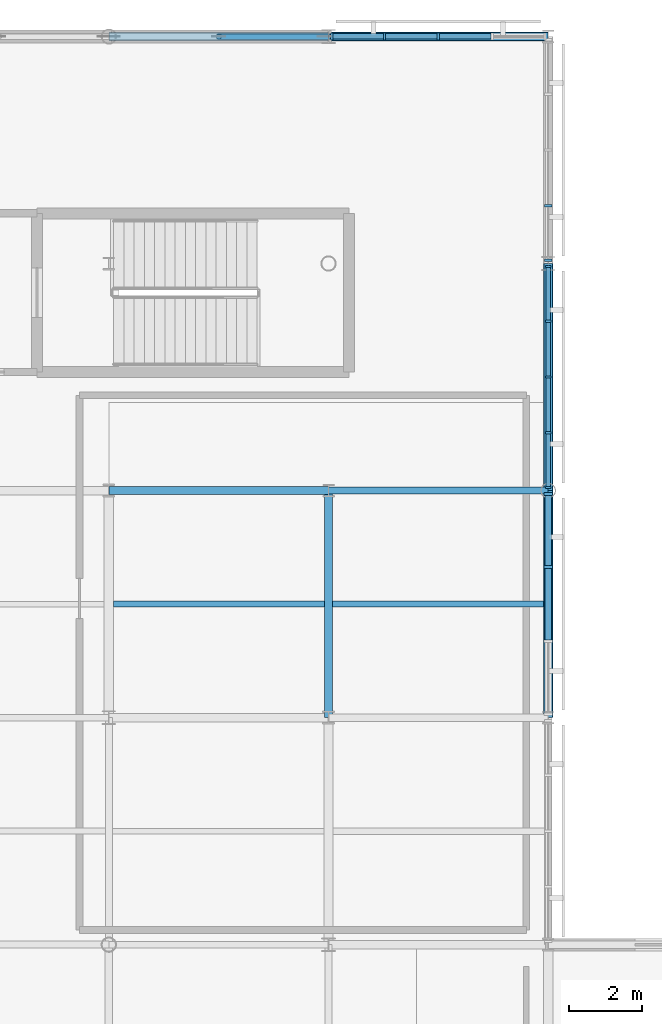
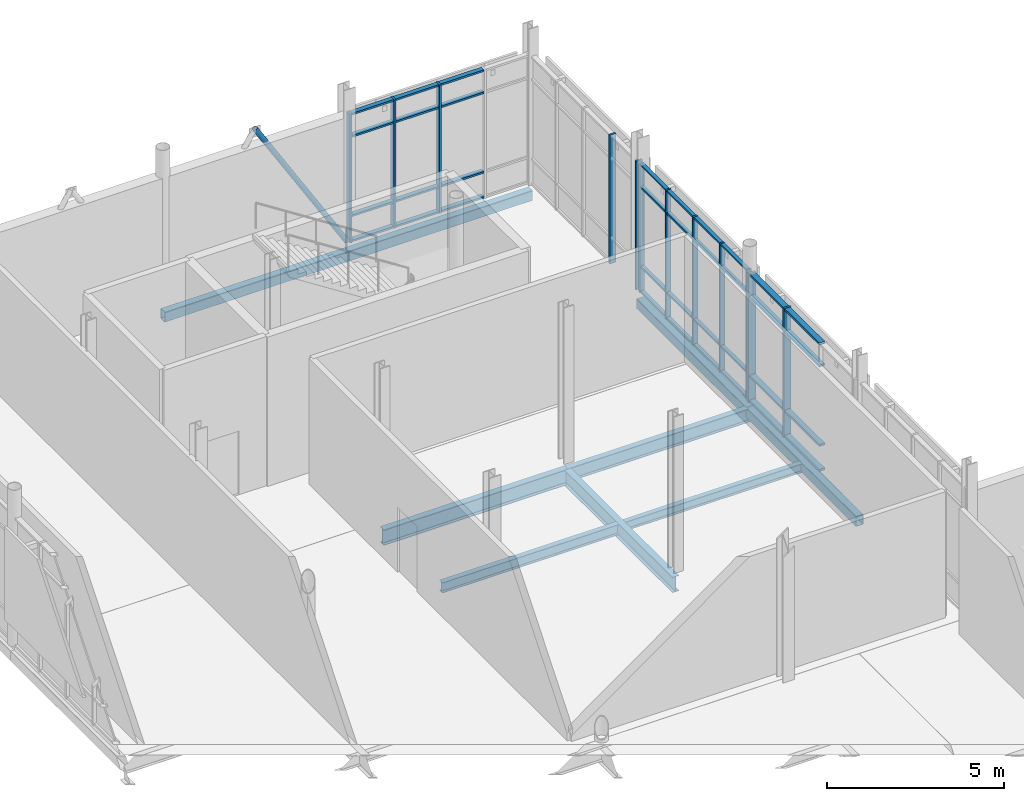
# One storey, part 53 of 105: 49 members, 9 beams, 4 elements without a shape of their own.
"""IFC4 building model written with IfcOpenShell, lengths in metres."""

from ifc_helpers import new_model, si_unit, direction, frame, origin, origin_2d, place, context, subcontext, project, spatial, rectangle, hollow_rectangle, hollow_circle, i_section, extrude, material, layer, layer_set, material_profile, profile_set, type_object, element, aggregate, save


model = new_model("IFC4")

# Units and contexts
model_context = context("Model", 3, precision=1e-05, world=origin(), true_north=direction((0.0, 1.0)))
body_context = subcontext(model_context, "Body", "Model", "MODEL_VIEW")
ifc_project = project(units=[si_unit("LENGTHUNIT", "METRE"), si_unit("AREAUNIT", "SQUARE_METRE"), si_unit("VOLUMEUNIT", "CUBIC_METRE"), si_unit("PLANEANGLEUNIT", "RADIAN"), si_unit("MASSUNIT", "GRAM", prefix="KILO")], contexts=[model_context])

# Site, building, storey
site_placement = place(None, origin())
site = spatial("IfcSite", under=ifc_project, at=site_placement, CompositionType="ELEMENT")
building_placement = place(site_placement, origin())
building = spatial("IfcBuilding", under=site, at=building_placement, Name="Mirzam Square Science Centre", CompositionType="ELEMENT")
storey_placement = place(building_placement, frame((0.0, 0.0, 5.39990234375)))
storey = spatial("IfcBuildingStorey", under=building, at=storey_placement, Name="L01", CompositionType="ELEMENT", Elevation=5.39990234375)

# Beams
ifc_material_1 = material(Name="Steel S355", Category="steel")
ifc_material_profile_1 = material_profile(ifc_material_1, i_section(OverallWidth=0.19140625, OverallDepth=0.4599609375, WebThickness=0.010009765625, FlangeThickness=0.01611328125, FilletRadius=0.01025390625, at=origin_2d()), Name="457x191x82UB")
ifc_profile_set_1 = profile_set([ifc_material_profile_1], Name="Steel S355")
beam_type_1 = type_object("IfcBeamType", Name="BM-UB457", PredefinedType="BEAM", material=ifc_profile_set_1)
beam_1_placement = place(storey_placement, frame((132.0, 99.199951171875, -0.47998046875), z_axis=(1.0, 0.0, 0.0), x_axis=(0.0, 1.0, 0.0)))
element("IfcBeam", 1, at=beam_1_placement, inside=storey, type_object=beam_type_1, Name="L01 girder X23-17", PredefinedType="BEAM", context=body_context, shape_type="SweptSolid", body=[
    extrude(i_section(OverallWidth=0.19140625, OverallDepth=0.4599609375, WebThickness=0.010009765625, FlangeThickness=0.01611328125, FilletRadius=0.01025390625, at=origin_2d()), origin(), (0.0, 0.0, 1.0), 6.0),
])
ifc_material_profile_2 = material_profile(ifc_material_1, i_section(OverallWidth=0.2099609375, OverallDepth=0.53662109375, WebThickness=0.0107421875, FlangeThickness=0.017333984375, FilletRadius=0.0126953125, at=origin_2d()), Name="533x210x101UB")
ifc_profile_set_2 = profile_set([ifc_material_profile_2], Name="Steel S355")
beam_type_2 = type_object("IfcBeamType", Name="BM-UB533", PredefinedType="BEAM", material=ifc_profile_set_2)
beam_2_placement = place(storey_placement, frame((126.0, 99.199951171875, -0.518310546875), z_axis=(1.0, 0.0, 0.0), x_axis=(0.0, 1.0, 0.0)))
element("IfcBeam", 2, at=beam_2_placement, inside=storey, type_object=beam_type_2, Name="L01 girder X22-17", PredefinedType="BEAM", context=body_context, shape_type="SweptSolid", body=[
    extrude(i_section(OverallWidth=0.2099609375, OverallDepth=0.53662109375, WebThickness=0.0107421875, FlangeThickness=0.017333984375, FilletRadius=0.0126953125, at=origin_2d()), origin(), (0.0, 0.0, 1.0), 6.0),
])
beam_3_placement = place(storey_placement, frame((132.0, 93.0, -0.518310546875), z_axis=(0.0, 1.0, 0.0), x_axis=(-1.0, 0.0, 0.0)))
element("IfcBeam", 3, at=beam_3_placement, inside=storey, type_object=beam_type_2, Name="L01 girder Y23-16", PredefinedType="BEAM", context=body_context, shape_type="SweptSolid", body=[
    extrude(i_section(OverallWidth=0.2099609375, OverallDepth=0.53662109375, WebThickness=0.0107421875, FlangeThickness=0.017333984375, FilletRadius=0.0126953125, at=origin_2d()), origin(), (0.0, 0.0, 1.0), 6.199951171875),
])

# Member
ifc_material_profile_3 = material_profile(ifc_material_1, hollow_circle(Radius=0.084228515625, WallThickness=0.008056640625, at=origin_2d()), Name="168.3x8.0CHS")
ifc_profile_set_3 = profile_set([ifc_material_profile_3], Name="Steel S355")
member_type_1 = type_object("IfcMemberType", Name="BR-CHS168", PredefinedType="BRACE", material=ifc_profile_set_3)
member_1_placement = place(storey_placement, frame((132.0, 111.60009765625, 0.050048828125), z_axis=(-0.520218218023, 0.0, 0.854033375014), x_axis=(0.0, -1.0, 0.0)))
element("IfcMember", 4, at=member_1_placement, inside=storey, type_object=member_type_1, Name="L01 chevron brace 9B", PredefinedType="BRACE", context=body_context, shape_type="SweptSolid", body=[
    extrude(hollow_circle(Radius=0.084228515625, WallThickness=0.008056640625, at=origin_2d()), origin(), (0.0, 0.0, 1.0), 5.766845703125),
])

# Curtain wall, members
ifc_material_2 = material(Name="Anodised Aluminium and Low-E Solar Glass", Category="aluminium")
ifc_layer_1 = layer(ifc_material_2, 0.219970703125)
ifc_layer_set_1 = layer_set([ifc_layer_1], Name="CW-OBS-A")
curtain_wall_type_1 = type_object("IfcCurtainWallType", Name="CW-OBS-A", PredefinedType="USERDEFINED", material=ifc_layer_set_1)
curtain_wall_1_placement = place(storey_placement, origin())
curtain_wall_1 = element("IfcCurtainWall", 5, at=curtain_wall_1_placement, inside=storey, type_object=curtain_wall_type_1, Name="L01 unitised curtain wall 97", ObjectType="UNITISED CURTAIN WALL", PredefinedType="USERDEFINED")
ifc_material_3 = material(Name="Anodised Architectural Aluminium 6063-T6", Category="aluminium")
ifc_material_profile_4 = material_profile(ifc_material_3, rectangle(XDim=0.06005859375, YDim=0.159912109375, at=origin_2d()), Name="ALU-MULL-160x60x4")
ifc_profile_set_4 = profile_set([ifc_material_profile_4], Name="Anodised Architectural Aluminium 6063-T6")
member_type_2 = type_object("IfcMemberType", Name="CWM-160", PredefinedType="MULLION", material=ifc_profile_set_4)
member_2_placement = place(storey_placement, frame((138.0, 99.284912109375, 0.0), z_axis=(0.0, 0.0, 1.0), x_axis=(0.0, 1.0, 0.0)))
member_2 = element("IfcMember", 6, at=member_2_placement, type_object=member_type_2, Name="CW-07 mullion 1", PredefinedType="MULLION", context=body_context, shape_type="SweptSolid", body=[
    extrude(rectangle(XDim=0.06005859375, YDim=0.159912109375, at=origin_2d()), origin(), (0.0, 0.0, 1.0), 4.440185546875),
])
member_3_placement = place(storey_placement, frame((138.0, 100.777587890625, 0.0), z_axis=(0.0, 0.0, 1.0), x_axis=(0.0, 1.0, 0.0)))
member_3 = element("IfcMember", 7, at=member_3_placement, type_object=member_type_2, Name="CW-07 mullion 2", PredefinedType="MULLION", context=body_context, shape_type="SweptSolid", body=[
    extrude(rectangle(XDim=0.06005859375, YDim=0.159912109375, at=origin_2d()), origin(), (0.0, 0.0, 1.0), 4.440185546875),
])
member_4_placement = place(storey_placement, frame((138.0, 102.300048828125, 0.0), z_axis=(0.0, 0.0, 1.0), x_axis=(0.0, 1.0, 0.0)))
member_4 = element("IfcMember", 8, at=member_4_placement, type_object=member_type_2, Name="CW-07 mullion 3", PredefinedType="MULLION", context=body_context, shape_type="SweptSolid", body=[
    extrude(rectangle(XDim=0.06005859375, YDim=0.159912109375, at=origin_2d()), origin(), (0.0, 0.0, 1.0), 4.440185546875),
])
member_5_placement = place(storey_placement, frame((138.0, 103.822509765625, 0.0), z_axis=(0.0, 0.0, 1.0), x_axis=(0.0, 1.0, 0.0)))
member_5 = element("IfcMember", 9, at=member_5_placement, type_object=member_type_2, Name="CW-07 mullion 4", PredefinedType="MULLION", context=body_context, shape_type="SweptSolid", body=[
    extrude(rectangle(XDim=0.06005859375, YDim=0.159912109375, at=origin_2d()), origin(), (0.0, 0.0, 1.0), 4.440185546875),
])
member_6_placement = place(storey_placement, frame((138.0, 105.31494140625, 0.0), z_axis=(0.0, 0.0, 1.0), x_axis=(0.0, 1.0, 0.0)))
member_6 = element("IfcMember", 10, at=member_6_placement, type_object=member_type_2, Name="CW-07 mullion 5", PredefinedType="MULLION", context=body_context, shape_type="SweptSolid", body=[
    extrude(rectangle(XDim=0.06005859375, YDim=0.159912109375, at=origin_2d()), origin(), (0.0, 0.0, 1.0), 4.440185546875),
])

curtain_wall_2_placement = place(storey_placement, origin())
curtain_wall_2 = element("IfcCurtainWall", 11, at=curtain_wall_2_placement, inside=storey, type_object=curtain_wall_type_1, Name="L01 unitised curtain wall 91", ObjectType="UNITISED CURTAIN WALL", PredefinedType="USERDEFINED")
ifc_material_profile_5 = material_profile(ifc_material_3, rectangle(XDim=0.06494140625, YDim=0.199951171875, at=origin_2d()), Name="ALU-MULL-200x65x5")
ifc_profile_set_5 = profile_set([ifc_material_profile_5], Name="Anodised Architectural Aluminium 6063-T6")
member_type_3 = type_object("IfcMemberType", Name="CWM-200", PredefinedType="MULLION", material=ifc_profile_set_5)
member_7_placement = place(storey_placement, frame((135.0, 111.60009765625, 0.0), z_axis=(0.0, 0.0, 1.0), x_axis=(-1.0, 0.0, 0.0)))
member_7 = element("IfcMember", 12, at=member_7_placement, type_object=member_type_3, Name="CW-07 mullion 3", PredefinedType="MULLION", context=body_context, shape_type="SweptSolid", body=[
    extrude(rectangle(XDim=0.06494140625, YDim=0.199951171875, at=origin_2d()), origin(), (0.0, 0.0, 1.0), 4.440185546875),
])
member_8_placement = place(storey_placement, frame((133.527587890625, 111.60009765625, 0.0), z_axis=(0.0, 0.0, 1.0), x_axis=(-1.0, 0.0, 0.0)))
member_8 = element("IfcMember", 13, at=member_8_placement, type_object=member_type_3, Name="CW-07 mullion 4", PredefinedType="MULLION", context=body_context, shape_type="SweptSolid", body=[
    extrude(rectangle(XDim=0.06494140625, YDim=0.199951171875, at=origin_2d()), origin(), (0.0, 0.0, 1.0), 4.440185546875),
])
member_9_placement = place(storey_placement, frame((132.08740234375, 111.60009765625, 0.0), z_axis=(0.0, 0.0, 1.0), x_axis=(-1.0, 0.0, 0.0)))
member_9 = element("IfcMember", 14, at=member_9_placement, type_object=member_type_3, Name="CW-07 mullion 5", PredefinedType="MULLION", context=body_context, shape_type="SweptSolid", body=[
    extrude(rectangle(XDim=0.06494140625, YDim=0.199951171875, at=origin_2d()), origin(), (0.0, 0.0, 1.0), 4.440185546875),
])

ifc_layer_2 = layer(ifc_material_2, 0.179931640625)
ifc_layer_set_2 = layer_set([ifc_layer_2], Name="CW-LINK-A")
curtain_wall_type_2 = type_object("IfcCurtainWallType", Name="CW-LINK-A", PredefinedType="USERDEFINED", material=ifc_layer_set_2)
curtain_wall_3_placement = place(storey_placement, origin())
curtain_wall_3 = element("IfcCurtainWall", 15, at=curtain_wall_3_placement, inside=storey, type_object=curtain_wall_type_2, Name="L01 unitised curtain wall 99", ObjectType="UNITISED CURTAIN WALL", PredefinedType="USERDEFINED")
member_10_placement = place(storey_placement, frame((138.0, 105.487548828125, 0.0), z_axis=(0.0, 0.0, 1.0), x_axis=(0.0, 1.0, 0.0)))
member_10 = element("IfcMember", 16, at=member_10_placement, type_object=member_type_3, Name="CW-08 mullion 1", PredefinedType="MULLION", context=body_context, shape_type="SweptSolid", body=[
    extrude(rectangle(XDim=0.06494140625, YDim=0.199951171875, at=origin_2d()), origin(), (0.0, 0.0, 1.0), 4.440185546875),
])
member_11_placement = place(storey_placement, frame((138.0, 106.9775390625, 0.0), z_axis=(0.0, 0.0, 1.0), x_axis=(0.0, 1.0, 0.0)))
member_11 = element("IfcMember", 17, at=member_11_placement, type_object=member_type_3, Name="CW-08 mullion 2", PredefinedType="MULLION", context=body_context, shape_type="SweptSolid", body=[
    extrude(rectangle(XDim=0.06494140625, YDim=0.199951171875, at=origin_2d()), origin(), (0.0, 0.0, 1.0), 4.440185546875),
])
aggregate(curtain_wall_3, [member_10, member_11])

ifc_layer_3 = layer(ifc_material_2, 0.239990234375)
ifc_layer_set_3 = layer_set([ifc_layer_3], Name="CW-EAST-B")
curtain_wall_type_3 = type_object("IfcCurtainWallType", Name="CW-EAST-B", PredefinedType="USERDEFINED", material=ifc_layer_set_3)
curtain_wall_4_placement = place(storey_placement, origin())
curtain_wall_4 = element("IfcCurtainWall", 18, at=curtain_wall_4_placement, inside=storey, type_object=curtain_wall_type_3, Name="L01 unitised curtain wall 95", ObjectType="UNITISED CURTAIN WALL", PredefinedType="USERDEFINED")
ifc_material_profile_6 = material_profile(ifc_material_3, rectangle(XDim=0.074951171875, YDim=0.239990234375, at=origin_2d()), Name="ALU-MULL-240x75x5")
ifc_profile_set_6 = profile_set([ifc_material_profile_6], Name="Anodised Architectural Aluminium 6063-T6")
member_type_4 = type_object("IfcMemberType", Name="CWM-240", PredefinedType="MULLION", material=ifc_profile_set_6)
member_12_placement = place(storey_placement, frame((138.0, 97.114990234375, 0.0), z_axis=(0.0, 0.0, 1.0), x_axis=(0.0, 1.0, 0.0)))
member_12 = element("IfcMember", 19, at=member_12_placement, type_object=member_type_4, Name="CW-06 mullion 3", PredefinedType="MULLION", context=body_context, shape_type="SweptSolid", body=[
    extrude(rectangle(XDim=0.074951171875, YDim=0.239990234375, at=origin_2d()), origin(), (0.0, 0.0, 1.0), 4.440185546875),
])
member_13_placement = place(storey_placement, frame((138.0, 99.107421875, 0.0), z_axis=(0.0, 0.0, 1.0), x_axis=(0.0, 1.0, 0.0)))
member_13 = element("IfcMember", 20, at=member_13_placement, type_object=member_type_4, Name="CW-06 mullion 4", PredefinedType="MULLION", context=body_context, shape_type="SweptSolid", body=[
    extrude(rectangle(XDim=0.074951171875, YDim=0.239990234375, at=origin_2d()), origin(), (0.0, 0.0, 1.0), 4.440185546875),
])

# Member
ifc_material_profile_7 = material_profile(ifc_material_3, rectangle(XDim=0.1201171875, YDim=0.06005859375, at=origin_2d()), Name="ALU-TRAN-120x60x4")
ifc_profile_set_7 = profile_set([ifc_material_profile_7], Name="Anodised Architectural Aluminium 6063-T6")
member_type_5 = type_object("IfcMemberType", Name="CWT-120", PredefinedType="USERDEFINED", material=ifc_profile_set_7)
member_14_placement = place(storey_placement, frame((138.0, 99.31494140625, 0.030029296875), z_axis=(0.0, 1.0, 0.0), x_axis=(-1.0, 0.0, 0.0)))
member_14 = element("IfcMember", 21, at=member_14_placement, type_object=member_type_5, Name="CW-07 transom 1.1", ObjectType="TRANSOM", PredefinedType="USERDEFINED", context=body_context, shape_type="SweptSolid", body=[
    extrude(rectangle(XDim=0.1201171875, YDim=0.06005859375, at=origin_2d()), origin(), (0.0, 0.0, 1.0), 1.4326171875),
])

member_15_placement = place(storey_placement, frame((138.0, 99.31494140625, 0.900146484375), z_axis=(0.0, 1.0, 0.0), x_axis=(-1.0, 0.0, 0.0)))
member_15 = element("IfcMember", 22, at=member_15_placement, type_object=member_type_5, Name="CW-07 transom 1.2", ObjectType="TRANSOM", PredefinedType="USERDEFINED", context=body_context, shape_type="SweptSolid", body=[
    extrude(rectangle(XDim=0.1201171875, YDim=0.06005859375, at=origin_2d()), origin(), (0.0, 0.0, 1.0), 1.4326171875),
])

member_16_placement = place(storey_placement, frame((138.0, 99.31494140625, 3.64013671875), z_axis=(0.0, 1.0, 0.0), x_axis=(-1.0, 0.0, 0.0)))
member_16 = element("IfcMember", 23, at=member_16_placement, type_object=member_type_5, Name="CW-07 transom 1.3", ObjectType="TRANSOM", PredefinedType="USERDEFINED", context=body_context, shape_type="SweptSolid", body=[
    extrude(rectangle(XDim=0.1201171875, YDim=0.06005859375, at=origin_2d()), origin(), (0.0, 0.0, 1.0), 1.4326171875),
])

member_17_placement = place(storey_placement, frame((138.0, 99.31494140625, 4.41015625), z_axis=(0.0, 1.0, 0.0), x_axis=(-1.0, 0.0, 0.0)))
member_17 = element("IfcMember", 24, at=member_17_placement, type_object=member_type_5, Name="CW-07 transom 1.4", ObjectType="TRANSOM", PredefinedType="USERDEFINED", context=body_context, shape_type="SweptSolid", body=[
    extrude(rectangle(XDim=0.1201171875, YDim=0.06005859375, at=origin_2d()), origin(), (0.0, 0.0, 1.0), 1.4326171875),
])

member_18_placement = place(storey_placement, frame((138.0, 100.8076171875, 0.030029296875), z_axis=(0.0, 1.0, 0.0), x_axis=(-1.0, 0.0, 0.0)))
member_18 = element("IfcMember", 25, at=member_18_placement, type_object=member_type_5, Name="CW-07 transom 2.1", ObjectType="TRANSOM", PredefinedType="USERDEFINED", context=body_context, shape_type="SweptSolid", body=[
    extrude(rectangle(XDim=0.1201171875, YDim=0.06005859375, at=origin_2d()), origin(), (0.0, 0.0, 1.0), 1.46240234375),
])

member_19_placement = place(storey_placement, frame((138.0, 100.8076171875, 0.900146484375), z_axis=(0.0, 1.0, 0.0), x_axis=(-1.0, 0.0, 0.0)))
member_19 = element("IfcMember", 26, at=member_19_placement, type_object=member_type_5, Name="CW-07 transom 2.2", ObjectType="TRANSOM", PredefinedType="USERDEFINED", context=body_context, shape_type="SweptSolid", body=[
    extrude(rectangle(XDim=0.1201171875, YDim=0.06005859375, at=origin_2d()), origin(), (0.0, 0.0, 1.0), 1.46240234375),
])

member_20_placement = place(storey_placement, frame((138.0, 100.8076171875, 3.64013671875), z_axis=(0.0, 1.0, 0.0), x_axis=(-1.0, 0.0, 0.0)))
member_20 = element("IfcMember", 27, at=member_20_placement, type_object=member_type_5, Name="CW-07 transom 2.3", ObjectType="TRANSOM", PredefinedType="USERDEFINED", context=body_context, shape_type="SweptSolid", body=[
    extrude(rectangle(XDim=0.1201171875, YDim=0.06005859375, at=origin_2d()), origin(), (0.0, 0.0, 1.0), 1.46240234375),
])

member_21_placement = place(storey_placement, frame((138.0, 100.8076171875, 4.41015625), z_axis=(0.0, 1.0, 0.0), x_axis=(-1.0, 0.0, 0.0)))
member_21 = element("IfcMember", 28, at=member_21_placement, type_object=member_type_5, Name="CW-07 transom 2.4", ObjectType="TRANSOM", PredefinedType="USERDEFINED", context=body_context, shape_type="SweptSolid", body=[
    extrude(rectangle(XDim=0.1201171875, YDim=0.06005859375, at=origin_2d()), origin(), (0.0, 0.0, 1.0), 1.46240234375),
])

member_22_placement = place(storey_placement, frame((138.0, 102.330078125, 0.030029296875), z_axis=(0.0, 1.0, 0.0), x_axis=(-1.0, 0.0, 0.0)))
member_22 = element("IfcMember", 29, at=member_22_placement, type_object=member_type_5, Name="CW-07 transom 3.1", ObjectType="TRANSOM", PredefinedType="USERDEFINED", context=body_context, shape_type="SweptSolid", body=[
    extrude(rectangle(XDim=0.1201171875, YDim=0.06005859375, at=origin_2d()), origin(), (0.0, 0.0, 1.0), 1.46240234375),
])

member_23_placement = place(storey_placement, frame((138.0, 102.330078125, 0.900146484375), z_axis=(0.0, 1.0, 0.0), x_axis=(-1.0, 0.0, 0.0)))
member_23 = element("IfcMember", 30, at=member_23_placement, type_object=member_type_5, Name="CW-07 transom 3.2", ObjectType="TRANSOM", PredefinedType="USERDEFINED", context=body_context, shape_type="SweptSolid", body=[
    extrude(rectangle(XDim=0.1201171875, YDim=0.06005859375, at=origin_2d()), origin(), (0.0, 0.0, 1.0), 1.46240234375),
])

member_24_placement = place(storey_placement, frame((138.0, 102.330078125, 3.64013671875), z_axis=(0.0, 1.0, 0.0), x_axis=(-1.0, 0.0, 0.0)))
member_24 = element("IfcMember", 31, at=member_24_placement, type_object=member_type_5, Name="CW-07 transom 3.3", ObjectType="TRANSOM", PredefinedType="USERDEFINED", context=body_context, shape_type="SweptSolid", body=[
    extrude(rectangle(XDim=0.1201171875, YDim=0.06005859375, at=origin_2d()), origin(), (0.0, 0.0, 1.0), 1.46240234375),
])

member_25_placement = place(storey_placement, frame((138.0, 102.330078125, 4.41015625), z_axis=(0.0, 1.0, 0.0), x_axis=(-1.0, 0.0, 0.0)))
member_25 = element("IfcMember", 32, at=member_25_placement, type_object=member_type_5, Name="CW-07 transom 3.4", ObjectType="TRANSOM", PredefinedType="USERDEFINED", context=body_context, shape_type="SweptSolid", body=[
    extrude(rectangle(XDim=0.1201171875, YDim=0.06005859375, at=origin_2d()), origin(), (0.0, 0.0, 1.0), 1.46240234375),
])

member_26_placement = place(storey_placement, frame((138.0, 103.8525390625, 0.030029296875), z_axis=(0.0, 1.0, 0.0), x_axis=(-1.0, 0.0, 0.0)))
member_26 = element("IfcMember", 33, at=member_26_placement, type_object=member_type_5, Name="CW-07 transom 4.1", ObjectType="TRANSOM", PredefinedType="USERDEFINED", context=body_context, shape_type="SweptSolid", body=[
    extrude(rectangle(XDim=0.1201171875, YDim=0.06005859375, at=origin_2d()), origin(), (0.0, 0.0, 1.0), 1.432373046875),
])

member_27_placement = place(storey_placement, frame((138.0, 103.8525390625, 0.900146484375), z_axis=(0.0, 1.0, 0.0), x_axis=(-1.0, 0.0, 0.0)))
member_27 = element("IfcMember", 34, at=member_27_placement, type_object=member_type_5, Name="CW-07 transom 4.2", ObjectType="TRANSOM", PredefinedType="USERDEFINED", context=body_context, shape_type="SweptSolid", body=[
    extrude(rectangle(XDim=0.1201171875, YDim=0.06005859375, at=origin_2d()), origin(), (0.0, 0.0, 1.0), 1.432373046875),
])

member_28_placement = place(storey_placement, frame((138.0, 103.8525390625, 3.64013671875), z_axis=(0.0, 1.0, 0.0), x_axis=(-1.0, 0.0, 0.0)))
member_28 = element("IfcMember", 35, at=member_28_placement, type_object=member_type_5, Name="CW-07 transom 4.3", ObjectType="TRANSOM", PredefinedType="USERDEFINED", context=body_context, shape_type="SweptSolid", body=[
    extrude(rectangle(XDim=0.1201171875, YDim=0.06005859375, at=origin_2d()), origin(), (0.0, 0.0, 1.0), 1.432373046875),
])

member_29_placement = place(storey_placement, frame((138.0, 103.8525390625, 4.41015625), z_axis=(0.0, 1.0, 0.0), x_axis=(-1.0, 0.0, 0.0)))
member_29 = element("IfcMember", 36, at=member_29_placement, type_object=member_type_5, Name="CW-07 transom 4.4", ObjectType="TRANSOM", PredefinedType="USERDEFINED", context=body_context, shape_type="SweptSolid", body=[
    extrude(rectangle(XDim=0.1201171875, YDim=0.06005859375, at=origin_2d()), origin(), (0.0, 0.0, 1.0), 1.432373046875),
])

aggregate(curtain_wall_1, [member_2, member_3, member_4, member_5, member_6, member_14, member_15, member_16, member_17, member_18, member_19, member_20, member_21, member_22, member_23, member_24, member_25, member_26, member_27, member_28, member_29])

ifc_material_profile_8 = material_profile(ifc_material_3, rectangle(XDim=0.14990234375, YDim=0.06494140625, at=origin_2d()), Name="ALU-TRAN-150x65x4")
ifc_profile_set_8 = profile_set([ifc_material_profile_8], Name="Anodised Architectural Aluminium 6063-T6")
member_type_6 = type_object("IfcMemberType", Name="CWT-150", PredefinedType="USERDEFINED", material=ifc_profile_set_8)
member_30_placement = place(storey_placement, frame((136.43994140625, 111.60009765625, 0.03271484375), z_axis=(-1.0, 0.0, 0.0), x_axis=(0.0, -1.0, 0.0)))
member_30 = element("IfcMember", 37, at=member_30_placement, type_object=member_type_6, Name="CW-07 transom 2.1", ObjectType="TRANSOM", PredefinedType="USERDEFINED", context=body_context, shape_type="SweptSolid", body=[
    extrude(rectangle(XDim=0.14990234375, YDim=0.06494140625, at=origin_2d()), origin(), (0.0, 0.0, 1.0), 1.407470703125),
])

member_31_placement = place(storey_placement, frame((136.43994140625, 111.60009765625, 0.900146484375), z_axis=(-1.0, 0.0, 0.0), x_axis=(0.0, -1.0, 0.0)))
member_31 = element("IfcMember", 38, at=member_31_placement, type_object=member_type_6, Name="CW-07 transom 2.2", ObjectType="TRANSOM", PredefinedType="USERDEFINED", context=body_context, shape_type="SweptSolid", body=[
    extrude(rectangle(XDim=0.14990234375, YDim=0.06494140625, at=origin_2d()), origin(), (0.0, 0.0, 1.0), 1.407470703125),
])

member_32_placement = place(storey_placement, frame((136.43994140625, 111.60009765625, 3.64013671875), z_axis=(-1.0, 0.0, 0.0), x_axis=(0.0, -1.0, 0.0)))
member_32 = element("IfcMember", 39, at=member_32_placement, type_object=member_type_6, Name="CW-07 transom 2.3", ObjectType="TRANSOM", PredefinedType="USERDEFINED", context=body_context, shape_type="SweptSolid", body=[
    extrude(rectangle(XDim=0.14990234375, YDim=0.06494140625, at=origin_2d()), origin(), (0.0, 0.0, 1.0), 1.407470703125),
])

member_33_placement = place(storey_placement, frame((136.43994140625, 111.60009765625, 4.40771484375), z_axis=(-1.0, 0.0, 0.0), x_axis=(0.0, -1.0, 0.0)))
member_33 = element("IfcMember", 40, at=member_33_placement, type_object=member_type_6, Name="CW-07 transom 2.4", ObjectType="TRANSOM", PredefinedType="USERDEFINED", context=body_context, shape_type="SweptSolid", body=[
    extrude(rectangle(XDim=0.14990234375, YDim=0.06494140625, at=origin_2d()), origin(), (0.0, 0.0, 1.0), 1.407470703125),
])

member_34_placement = place(storey_placement, frame((134.967529296875, 111.60009765625, 0.03271484375), z_axis=(-1.0, 0.0, 0.0), x_axis=(0.0, -1.0, 0.0)))
member_34 = element("IfcMember", 41, at=member_34_placement, type_object=member_type_6, Name="CW-07 transom 3.1", ObjectType="TRANSOM", PredefinedType="USERDEFINED", context=body_context, shape_type="SweptSolid", body=[
    extrude(rectangle(XDim=0.14990234375, YDim=0.06494140625, at=origin_2d()), origin(), (0.0, 0.0, 1.0), 1.407470703125),
])

member_35_placement = place(storey_placement, frame((134.967529296875, 111.60009765625, 0.900146484375), z_axis=(-1.0, 0.0, 0.0), x_axis=(0.0, -1.0, 0.0)))
member_35 = element("IfcMember", 42, at=member_35_placement, type_object=member_type_6, Name="CW-07 transom 3.2", ObjectType="TRANSOM", PredefinedType="USERDEFINED", context=body_context, shape_type="SweptSolid", body=[
    extrude(rectangle(XDim=0.14990234375, YDim=0.06494140625, at=origin_2d()), origin(), (0.0, 0.0, 1.0), 1.407470703125),
])

member_36_placement = place(storey_placement, frame((134.967529296875, 111.60009765625, 3.64013671875), z_axis=(-1.0, 0.0, 0.0), x_axis=(0.0, -1.0, 0.0)))
member_36 = element("IfcMember", 43, at=member_36_placement, type_object=member_type_6, Name="CW-07 transom 3.3", ObjectType="TRANSOM", PredefinedType="USERDEFINED", context=body_context, shape_type="SweptSolid", body=[
    extrude(rectangle(XDim=0.14990234375, YDim=0.06494140625, at=origin_2d()), origin(), (0.0, 0.0, 1.0), 1.407470703125),
])

member_37_placement = place(storey_placement, frame((134.967529296875, 111.60009765625, 4.40771484375), z_axis=(-1.0, 0.0, 0.0), x_axis=(0.0, -1.0, 0.0)))
member_37 = element("IfcMember", 44, at=member_37_placement, type_object=member_type_6, Name="CW-07 transom 3.4", ObjectType="TRANSOM", PredefinedType="USERDEFINED", context=body_context, shape_type="SweptSolid", body=[
    extrude(rectangle(XDim=0.14990234375, YDim=0.06494140625, at=origin_2d()), origin(), (0.0, 0.0, 1.0), 1.407470703125),
])

member_38_placement = place(storey_placement, frame((133.4951171875, 111.60009765625, 0.03271484375), z_axis=(-1.0, 0.0, 0.0), x_axis=(0.0, -1.0, 0.0)))
member_38 = element("IfcMember", 45, at=member_38_placement, type_object=member_type_6, Name="CW-07 transom 4.1", ObjectType="TRANSOM", PredefinedType="USERDEFINED", context=body_context, shape_type="SweptSolid", body=[
    extrude(rectangle(XDim=0.14990234375, YDim=0.06494140625, at=origin_2d()), origin(), (0.0, 0.0, 1.0), 1.375),
])

member_39_placement = place(storey_placement, frame((133.4951171875, 111.60009765625, 0.900146484375), z_axis=(-1.0, 0.0, 0.0), x_axis=(0.0, -1.0, 0.0)))
member_39 = element("IfcMember", 46, at=member_39_placement, type_object=member_type_6, Name="CW-07 transom 4.2", ObjectType="TRANSOM", PredefinedType="USERDEFINED", context=body_context, shape_type="SweptSolid", body=[
    extrude(rectangle(XDim=0.14990234375, YDim=0.06494140625, at=origin_2d()), origin(), (0.0, 0.0, 1.0), 1.375),
])

member_40_placement = place(storey_placement, frame((133.4951171875, 111.60009765625, 3.64013671875), z_axis=(-1.0, 0.0, 0.0), x_axis=(0.0, -1.0, 0.0)))
member_40 = element("IfcMember", 47, at=member_40_placement, type_object=member_type_6, Name="CW-07 transom 4.3", ObjectType="TRANSOM", PredefinedType="USERDEFINED", context=body_context, shape_type="SweptSolid", body=[
    extrude(rectangle(XDim=0.14990234375, YDim=0.06494140625, at=origin_2d()), origin(), (0.0, 0.0, 1.0), 1.375),
])

member_41_placement = place(storey_placement, frame((133.4951171875, 111.60009765625, 4.40771484375), z_axis=(-1.0, 0.0, 0.0), x_axis=(0.0, -1.0, 0.0)))
member_41 = element("IfcMember", 48, at=member_41_placement, type_object=member_type_6, Name="CW-07 transom 4.4", ObjectType="TRANSOM", PredefinedType="USERDEFINED", context=body_context, shape_type="SweptSolid", body=[
    extrude(rectangle(XDim=0.14990234375, YDim=0.06494140625, at=origin_2d()), origin(), (0.0, 0.0, 1.0), 1.375),
])

aggregate(curtain_wall_2, [member_7, member_8, member_9, member_30, member_31, member_32, member_33, member_34, member_35, member_36, member_37, member_38, member_39, member_40, member_41])

ifc_material_profile_9 = material_profile(ifc_material_3, rectangle(XDim=0.179931640625, YDim=0.074951171875, at=origin_2d()), Name="ALU-TRAN-180x75x5")
ifc_profile_set_9 = profile_set([ifc_material_profile_9], Name="Anodised Architectural Aluminium 6063-T6")
member_type_7 = type_object("IfcMemberType", Name="CWT-180", PredefinedType="USERDEFINED", material=ifc_profile_set_9)
member_42_placement = place(storey_placement, frame((138.0, 95.12255859375, 0.03759765625), z_axis=(0.0, 1.0, 0.0), x_axis=(-1.0, 0.0, 0.0)))
member_42 = element("IfcMember", 49, at=member_42_placement, type_object=member_type_7, Name="CW-06 transom 2.1", ObjectType="TRANSOM", PredefinedType="USERDEFINED", context=body_context, shape_type="SweptSolid", body=[
    extrude(rectangle(XDim=0.179931640625, YDim=0.074951171875, at=origin_2d()), origin(), (0.0, 0.0, 1.0), 1.954833984375),
])

member_43_placement = place(storey_placement, frame((138.0, 95.12255859375, 0.900146484375), z_axis=(0.0, 1.0, 0.0), x_axis=(-1.0, 0.0, 0.0)))
member_43 = element("IfcMember", 50, at=member_43_placement, type_object=member_type_7, Name="CW-06 transom 2.2", ObjectType="TRANSOM", PredefinedType="USERDEFINED", context=body_context, shape_type="SweptSolid", body=[
    extrude(rectangle(XDim=0.179931640625, YDim=0.074951171875, at=origin_2d()), origin(), (0.0, 0.0, 1.0), 1.954833984375),
])

member_44_placement = place(storey_placement, frame((138.0, 95.12255859375, 3.64013671875), z_axis=(0.0, 1.0, 0.0), x_axis=(-1.0, 0.0, 0.0)))
member_44 = element("IfcMember", 51, at=member_44_placement, type_object=member_type_7, Name="CW-06 transom 2.3", ObjectType="TRANSOM", PredefinedType="USERDEFINED", context=body_context, shape_type="SweptSolid", body=[
    extrude(rectangle(XDim=0.179931640625, YDim=0.074951171875, at=origin_2d()), origin(), (0.0, 0.0, 1.0), 1.954833984375),
])

member_45_placement = place(storey_placement, frame((138.0, 95.12255859375, 4.402587890625), z_axis=(0.0, 1.0, 0.0), x_axis=(-1.0, 0.0, 0.0)))
member_45 = element("IfcMember", 52, at=member_45_placement, type_object=member_type_7, Name="CW-06 transom 2.4", ObjectType="TRANSOM", PredefinedType="USERDEFINED", context=body_context, shape_type="SweptSolid", body=[
    extrude(rectangle(XDim=0.179931640625, YDim=0.074951171875, at=origin_2d()), origin(), (0.0, 0.0, 1.0), 1.954833984375),
])

member_46_placement = place(storey_placement, frame((138.0, 97.152587890625, 0.03759765625), z_axis=(0.0, 1.0, 0.0), x_axis=(-1.0, 0.0, 0.0)))
member_46 = element("IfcMember", 53, at=member_46_placement, type_object=member_type_7, Name="CW-06 transom 3.1", ObjectType="TRANSOM", PredefinedType="USERDEFINED", context=body_context, shape_type="SweptSolid", body=[
    extrude(rectangle(XDim=0.179931640625, YDim=0.074951171875, at=origin_2d()), origin(), (0.0, 0.0, 1.0), 1.91748046875),
])

member_47_placement = place(storey_placement, frame((138.0, 97.152587890625, 0.900146484375), z_axis=(0.0, 1.0, 0.0), x_axis=(-1.0, 0.0, 0.0)))
member_47 = element("IfcMember", 54, at=member_47_placement, type_object=member_type_7, Name="CW-06 transom 3.2", ObjectType="TRANSOM", PredefinedType="USERDEFINED", context=body_context, shape_type="SweptSolid", body=[
    extrude(rectangle(XDim=0.179931640625, YDim=0.074951171875, at=origin_2d()), origin(), (0.0, 0.0, 1.0), 1.91748046875),
])

member_48_placement = place(storey_placement, frame((138.0, 97.152587890625, 3.64013671875), z_axis=(0.0, 1.0, 0.0), x_axis=(-1.0, 0.0, 0.0)))
member_48 = element("IfcMember", 55, at=member_48_placement, type_object=member_type_7, Name="CW-06 transom 3.3", ObjectType="TRANSOM", PredefinedType="USERDEFINED", context=body_context, shape_type="SweptSolid", body=[
    extrude(rectangle(XDim=0.179931640625, YDim=0.074951171875, at=origin_2d()), origin(), (0.0, 0.0, 1.0), 1.91748046875),
])

member_49_placement = place(storey_placement, frame((138.0, 97.152587890625, 4.402587890625), z_axis=(0.0, 1.0, 0.0), x_axis=(-1.0, 0.0, 0.0)))
member_49 = element("IfcMember", 56, at=member_49_placement, type_object=member_type_7, Name="CW-06 transom 3.4", ObjectType="TRANSOM", PredefinedType="USERDEFINED", context=body_context, shape_type="SweptSolid", body=[
    extrude(rectangle(XDim=0.179931640625, YDim=0.074951171875, at=origin_2d()), origin(), (0.0, 0.0, 1.0), 1.91748046875),
])

aggregate(curtain_wall_4, [member_12, member_13, member_42, member_43, member_44, member_45, member_46, member_47, member_48, member_49])

# Beams
ifc_material_profile_10 = material_profile(ifc_material_1, i_section(OverallWidth=0.165771484375, OverallDepth=0.306640625, WebThickness=0.006591796875, FlangeThickness=0.01171875, FilletRadius=0.0087890625, at=origin_2d()), Name="305x165x46UB")
ifc_profile_set_10 = profile_set([ifc_material_profile_10], Name="Steel S355")
beam_type_3 = type_object("IfcBeamType", Name="JS-UB305", PredefinedType="JOIST", material=ifc_profile_set_10)
beam_4_placement = place(storey_placement, frame((132.10498046875, 96.10009765625, -0.4033203125), z_axis=(1.0, 0.0, 0.0), x_axis=(0.0, 1.0, 0.0)))
element("IfcBeam", 57, at=beam_4_placement, inside=storey, type_object=beam_type_3, Name="L01 composite joist 23-16", PredefinedType="JOIST", context=body_context, shape_type="SweptSolid", body=[
    extrude(i_section(OverallWidth=0.165771484375, OverallDepth=0.306640625, WebThickness=0.006591796875, FlangeThickness=0.01171875, FilletRadius=0.0087890625, at=origin_2d()), origin(), (0.0, 0.0, 1.0), 5.77001953125),
])
ifc_material_profile_11 = material_profile(ifc_material_1, i_section(OverallWidth=0.172119140625, OverallDepth=0.35791015625, WebThickness=0.008056640625, FlangeThickness=0.012939453125, FilletRadius=0.01025390625, at=origin_2d()), Name="356x171x57UB")
ifc_profile_set_11 = profile_set([ifc_material_profile_11], Name="Steel S355")
beam_type_4 = type_object("IfcBeamType", Name="JS-UB356", PredefinedType="JOIST", material=ifc_profile_set_11)
beam_5_placement = place(storey_placement, frame((126.127197265625, 96.10009765625, -0.428955078125), z_axis=(1.0, 0.0, 0.0), x_axis=(0.0, 1.0, 0.0)))
element("IfcBeam", 58, at=beam_5_placement, inside=storey, type_object=beam_type_4, Name="L01 composite joist 22-16", PredefinedType="JOIST", context=body_context, shape_type="SweptSolid", body=[
    extrude(i_section(OverallWidth=0.172119140625, OverallDepth=0.35791015625, WebThickness=0.008056640625, FlangeThickness=0.012939453125, FilletRadius=0.01025390625, at=origin_2d()), origin(), (0.0, 0.0, 1.0), 5.767822265625),
])
ifc_material_profile_12 = material_profile(ifc_material_1, hollow_rectangle(XDim=0.25, YDim=0.35009765625, WallThickness=0.012451171875, InnerFilletRadius=0.012451171875, OuterFilletRadius=0.02490234375, at=origin_2d()), Name="350x250x12.5RHS")
ifc_profile_set_12 = profile_set([ifc_material_profile_12], Name="Steel S355")
beam_type_5 = type_object("IfcBeamType", Name="SP-RHS350", PredefinedType="SPANDREL", material=ifc_profile_set_12)
for number, where, z_axis, x_axis, name in (
    (59, (126.0, 111.60009765625, -0.4248046875), (1.0, 0.0, 0.0), (0.0, 1.0, 0.0), "L01 girder X22-19"),
    (60, (132.0, 111.60009765625, -0.4248046875), (1.0, 0.0, 0.0), (0.0, 1.0, 0.0), "L01 girder X23-19"),
):
    element("IfcBeam", number, at=place(storey_placement, frame(where, z_axis=z_axis, x_axis=x_axis)), inside=storey, type_object=beam_type_5, Name=name, PredefinedType="SPANDREL", context=body_context, shape_type="SweptSolid", body=[
        extrude(hollow_rectangle(XDim=0.25, YDim=0.35009765625, WallThickness=0.012451171875, InnerFilletRadius=0.012451171875, OuterFilletRadius=0.02490234375, at=origin_2d()), origin(), (0.0, 0.0, 1.0), 6.0),
    ])
for number, where, z_axis, x_axis, name in (
    (61, (138.0, 93.0, -0.4248046875), (0.0, 1.0, 0.0), (-1.0, 0.0, 0.0), "L01 girder Y24-16"),
    (62, (138.0, 99.199951171875, -0.4248046875), (0.0, 1.0, 0.0), (-1.0, 0.0, 0.0), "L01 girder Y24-17"),
):
    element("IfcBeam", number, at=place(storey_placement, frame(where, z_axis=z_axis, x_axis=x_axis)), inside=storey, type_object=beam_type_5, Name=name, PredefinedType="SPANDREL", context=body_context, shape_type="SweptSolid", body=[
        extrude(hollow_rectangle(XDim=0.25, YDim=0.35009765625, WallThickness=0.012451171875, InnerFilletRadius=0.012451171875, OuterFilletRadius=0.02490234375, at=origin_2d()), origin(), (0.0, 0.0, 1.0), 6.199951171875),
    ])

save(model, "model.ifc")
